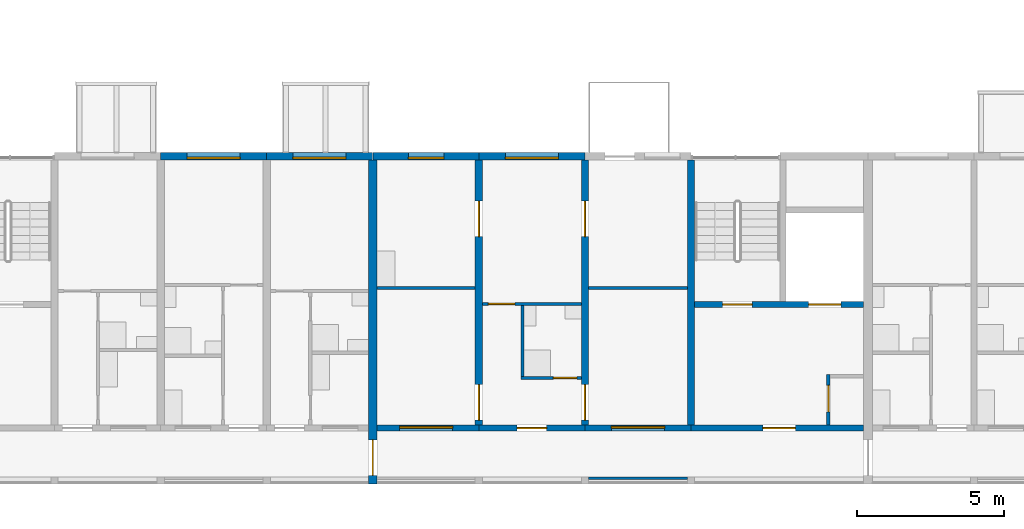
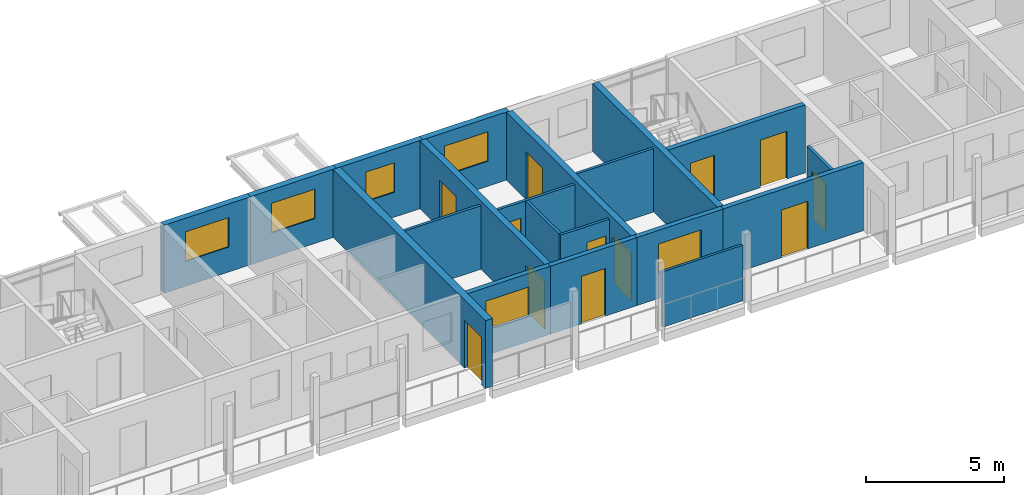
# One storey, part 48 of 98: 20 walls, 12 doors, 6 windows, 18 openings.
"""IFC4 building model written with IfcOpenShell, lengths in metres."""

from ifc_helpers import new_model, si_unit, direction, frame, frame_2d, origin, place, context, subcontext, project, spatial, rectangle, extrude, material, layer, layer_set, type_object, element, fill, save


model = new_model("IFC4")

# Units and contexts
model_context = context("Model", 3, precision=1e-05, world=origin(), true_north=direction((0.0, 1.0)))
body_context = subcontext(model_context, "Body", "Model", "MODEL_VIEW")
ifc_project = project(units=[si_unit("LENGTHUNIT", "METRE"), si_unit("AREAUNIT", "SQUARE_METRE"), si_unit("VOLUMEUNIT", "CUBIC_METRE"), si_unit("PLANEANGLEUNIT", "RADIAN"), si_unit("MASSUNIT", "GRAM", prefix="KILO")], contexts=[model_context])

# Site, building, storey
site_placement = place(None, origin())
site = spatial("IfcSite", under=ifc_project, at=site_placement, CompositionType="ELEMENT")
building_placement = place(site_placement, origin())
building = spatial("IfcBuilding", under=site, at=building_placement, Name="Ridgestep Commons", CompositionType="ELEMENT")
storey_placement = place(building_placement, frame((0.0, 0.0, 12.0)))
storey = spatial("IfcBuildingStorey", under=building, at=storey_placement, Name="L04", CompositionType="ELEMENT", Elevation=12.0)

# Wall
ifc_material_1 = material(Name="Concrete C30/37", Category="concrete")
ifc_layer_1 = layer(ifc_material_1, 0.25)
ifc_layer_set_1 = layer_set([ifc_layer_1], Name="Core cross wall 250")
wall_type_1 = type_object("IfcWallType", Name="Core cross wall 250", PredefinedType="SHEAR", material=ifc_layer_set_1)
wall_1_placement = place(storey_placement, frame((191.199951171875, 13.75, 0.0), z_axis=(0.0, 0.0, 1.0), x_axis=(0.0, 1.0, 0.0)))
element("IfcWall", 1, at=wall_1_placement, inside=storey, type_object=wall_type_1, Name="Cross wall D-04-1912", PredefinedType="SHEAR", context=body_context, shape_type="SweptSolid", body=[
    extrude(rectangle(XDim=9.0, YDim=0.25, at=frame_2d((4.5, 0.0))), origin(), (0.0, 0.0, 1.0), 3.0),
])

# Wall, opening, door
ifc_material_2 = material(Name="Concrete C30/37", Category="concrete")
ifc_layer_2 = layer(ifc_material_2, 0.199951171875)
ifc_layer_set_2 = layer_set([ifc_layer_2], Name="Core south wall 200")
wall_type_2 = type_object("IfcWallType", Name="Core south wall 200", PredefinedType="SHEAR", material=ifc_layer_set_2)
wall_2_placement = place(storey_placement, frame((191.199951171875, 13.64990234375, 0.0), z_axis=(0.0, 0.0, 1.0), x_axis=(1.0, 0.0, 0.0)))
wall_2 = element("IfcWall", 2, at=wall_2_placement, inside=storey, type_object=wall_type_2, Name="Core south wall D3C L04", PredefinedType="SHEAR", context=body_context, shape_type="SweptSolid", body=[
    extrude(rectangle(XDim=5.85009765625, YDim=0.199951171875, at=frame_2d((2.925048828125, 0.0))), origin(), (0.0, 0.0, 1.0), 3.0),
])
opening_1_placement = place(wall_2_placement, frame((2.4375, 0.0, 0.0)))
opening_1 = element("IfcOpeningElement", 3, at=opening_1_placement, cuts=wall_2, Name="Opening D3C/04/1", PredefinedType="OPENING", context=body_context, shape_type="SweptSolid", body=[
    extrude(rectangle(XDim=1.10009765625, YDim=2.10009765625, at=frame_2d((0.550048828125, 1.050048828125))), frame((0.0, 0.10986328125, 0.0), z_axis=(0.0, -1.0, 0.0), x_axis=(1.0, 0.0, 0.0)), (0.0, 0.0, 1.0), 0.219970703125),
])
ifc_material_3 = material(Name="Steel fire door", Category="steel")
door_type_1 = type_object("IfcDoorType", Name="Lobby door 1100 x 2100 FD60", OperationType="NOTDEFINED", PredefinedType="DOOR", material=ifc_material_3)
door_1_placement = place(opening_1_placement, origin())
door_1 = element("IfcDoor", 4, at=door_1_placement, inside=storey, type_object=door_type_1, Name="Lobby door D3C/04/1", OperationType="SINGLE_SWING_LEFT", OverallHeight=2.10009765625, OverallWidth=1.10009765625, PredefinedType="DOOR", context=body_context, shape_type="SweptSolid", body=[
    extrude(rectangle(XDim=1.10009765625, YDim=2.10009765625, at=frame_2d((0.550048828125, 1.050048828125))), frame((0.0, 0.02490234375, 0.0), z_axis=(0.0, -1.0, 0.0), x_axis=(1.0, 0.0, 0.0)), (0.0, 0.0, 1.0), 0.050048828125),
])
fill(opening_1, door_1)

ifc_material_4 = material(Name="Concrete C30/37", Category="concrete")
ifc_layer_3 = layer(ifc_material_4, 0.1201171875)
ifc_layer_set_3 = layer_set([ifc_layer_3], Name="Core wall 120")
wall_type_3 = type_object("IfcWallType", Name="Core wall 120", PredefinedType="SHEAR", material=ifc_layer_set_3)
wall_3_placement = place(storey_placement, frame((195.860107421875, 13.75, 0.0), z_axis=(0.0, 0.0, 1.0), x_axis=(0.0, 1.0, 0.0)))
wall_3 = element("IfcWall", 5, at=wall_3_placement, inside=storey, type_object=wall_type_3, Name="Core riser w wall D3C L04", PredefinedType="SHEAR", context=body_context, shape_type="SweptSolid", body=[
    extrude(rectangle(XDim=1.719970703125, YDim=0.1201171875, at=frame_2d((0.85986328125, 0.0))), origin(), (0.0, 0.0, 1.0), 3.0),
])
opening_2_placement = place(wall_3_placement, frame((0.449951171875, 0.0, 0.0)))
opening_2 = element("IfcOpeningElement", 6, at=opening_2_placement, cuts=wall_3, Name="Opening D3C/04/4", PredefinedType="OPENING", context=body_context, shape_type="SweptSolid", body=[
    extrude(rectangle(XDim=0.89990234375, YDim=2.10009765625, at=frame_2d((0.449951171875, 1.050048828125))), frame((0.0, 0.070068359375, 0.0), z_axis=(0.0, -1.0, 0.0), x_axis=(1.0, 0.0, 0.0)), (0.0, 0.0, 1.0), 0.14013671875),
])
ifc_material_5 = material(Name="Steel fire door", Category="steel")
door_type_2 = type_object("IfcDoorType", Name="Riser door 900 x 2100 FD60", OperationType="NOTDEFINED", PredefinedType="DOOR", material=ifc_material_5)
door_2_placement = place(opening_2_placement, origin())
door_2 = element("IfcDoor", 7, at=door_2_placement, inside=storey, type_object=door_type_2, Name="Riser door D3C/04/4", OperationType="SINGLE_SWING_LEFT", OverallHeight=2.10009765625, OverallWidth=0.89990234375, PredefinedType="DOOR", context=body_context, shape_type="SweptSolid", body=[
    extrude(rectangle(XDim=0.89990234375, YDim=2.10009765625, at=frame_2d((0.449951171875, 1.050048828125))), frame((0.0, 0.02490234375, 0.0), z_axis=(0.0, -1.0, 0.0), x_axis=(1.0, 0.0, 0.0)), (0.0, 0.0, 1.0), 0.050048828125),
])
fill(opening_2, door_2)

# Wall, openings, doors
ifc_material_6 = material(Name="Concrete C30/37", Category="concrete")
ifc_layer_4 = layer(ifc_material_6, 0.199951171875)
ifc_layer_set_4 = layer_set([ifc_layer_4], Name="Core wall 200")
wall_type_4 = type_object("IfcWallType", Name="Core wall 200", PredefinedType="SHEAR", material=ifc_layer_set_4)
wall_4_placement = place(storey_placement, frame((191.324951171875, 17.85009765625, 0.0), z_axis=(0.0, 0.0, 1.0), x_axis=(1.0, 0.0, 0.0)))
wall_4 = element("IfcWall", 8, at=wall_4_placement, inside=storey, type_object=wall_type_4, Name="Core lobby wall D3C L04", PredefinedType="SHEAR", context=body_context, shape_type="SweptSolid", body=[
    extrude(rectangle(XDim=5.72509765625, YDim=0.199951171875, at=frame_2d((2.862548828125, 0.0))), origin(), (0.0, 0.0, 1.0), 3.0),
])
opening_3_placement = place(wall_4_placement, frame((0.949951171875, 0.0, 0.0)))
opening_3 = element("IfcOpeningElement", 9, at=opening_3_placement, cuts=wall_4, Name="Opening D3C/04/2", PredefinedType="OPENING", context=body_context, shape_type="SweptSolid", body=[
    extrude(rectangle(XDim=1.0, YDim=2.10009765625, at=frame_2d((0.5, 1.050048828125))), frame((0.0, 0.10986328125, 0.0), z_axis=(0.0, -1.0, 0.0), x_axis=(1.0, 0.0, 0.0)), (0.0, 0.0, 1.0), 0.219970703125),
])
opening_4_placement = place(wall_4_placement, frame((3.862548828125, 0.0, 0.0)))
opening_4 = element("IfcOpeningElement", 10, at=opening_4_placement, cuts=wall_4, Name="Opening D3C/04/3", PredefinedType="OPENING", context=body_context, shape_type="SweptSolid", body=[
    extrude(rectangle(XDim=1.10009765625, YDim=2.10009765625, at=frame_2d((0.550048828125, 1.050048828125))), frame((0.0, 0.10986328125, 0.0), z_axis=(0.0, -1.0, 0.0), x_axis=(1.0, 0.0, 0.0)), (0.0, 0.0, 1.0), 0.219970703125),
])
ifc_material_7 = material(Name="Stainless steel", Category="steel")
door_type_3 = type_object("IfcDoorType", Name="Lift landing door 1100 x 2100 FD60", OperationType="DOUBLE_DOOR_SLIDING", PredefinedType="DOOR", material=ifc_material_7)
door_3_placement = place(opening_4_placement, origin())
door_3 = element("IfcDoor", 11, at=door_3_placement, inside=storey, type_object=door_type_3, Name="Landing door LD D3C L04", OperationType="DOUBLE_DOOR_SLIDING", OverallHeight=2.10009765625, OverallWidth=1.10009765625, PredefinedType="DOOR", context=body_context, shape_type="SweptSolid", body=[
    extrude(rectangle(XDim=1.10009765625, YDim=2.10009765625, at=frame_2d((0.550048828125, 1.050048828125))), frame((0.0, 0.02490234375, 0.0), z_axis=(0.0, -1.0, 0.0), x_axis=(1.0, 0.0, 0.0)), (0.0, 0.0, 1.0), 0.050048828125),
])
fill(opening_4, door_3)
ifc_material_8 = material(Name="Steel fire door", Category="steel")
door_type_4 = type_object("IfcDoorType", Name="Stair door 1000 x 2100 FD60", OperationType="NOTDEFINED", PredefinedType="DOOR", material=ifc_material_8)
door_4_placement = place(opening_3_placement, origin())
door_4 = element("IfcDoor", 12, at=door_4_placement, inside=storey, type_object=door_type_4, Name="Stair door D3C/04/2", OperationType="SINGLE_SWING_RIGHT", OverallHeight=2.10009765625, OverallWidth=1.0, PredefinedType="DOOR", context=body_context, shape_type="SweptSolid", body=[
    extrude(rectangle(XDim=1.0, YDim=2.10009765625, at=frame_2d((0.5, 1.050048828125))), frame((0.0, 0.02490234375, 0.0), z_axis=(0.0, -1.0, 0.0), x_axis=(1.0, 0.0, 0.0)), (0.0, 0.0, 1.0), 0.050048828125),
])
fill(opening_3, door_4)

ifc_material_9 = material(Name="Precast concrete C40/50", Category="concrete")
ifc_layer_5 = layer(ifc_material_9, 0.25)
ifc_layer_set_5 = layer_set([ifc_layer_5], Name="Cross wall 250")
wall_type_5 = type_object("IfcWallType", Name="Cross wall 250", PredefinedType="SHEAR", material=ifc_layer_set_5)
wall_5_placement = place(storey_placement, frame((184.0, 13.75, 0.0), z_axis=(0.0, 0.0, 1.0), x_axis=(0.0, 1.0, 0.0)))
wall_5 = element("IfcWall", 13, at=wall_5_placement, inside=storey, type_object=wall_type_5, Name="Cross wall D-04-1840", PredefinedType="SHEAR", context=body_context, shape_type="SweptSolid", body=[
    extrude(rectangle(XDim=9.0, YDim=0.25, at=frame_2d((4.5, 0.0))), origin(), (0.0, 0.0, 1.0), 3.0),
])
opening_5_placement = place(wall_5_placement, frame((0.175048828125, 0.0, 0.0)))
opening_5 = element("IfcOpeningElement", 14, at=opening_5_placement, cuts=wall_5, Name="Opening D3-04a/4", PredefinedType="OPENING", context=body_context, shape_type="SweptSolid", body=[
    extrude(rectangle(XDim=1.199951171875, YDim=2.10009765625, at=frame_2d((0.60009765625, 1.050048828125))), frame((0.0, 0.135009765625, 0.0), z_axis=(0.0, -1.0, 0.0), x_axis=(1.0, 0.0, 0.0)), (0.0, 0.0, 1.0), 0.27001953125),
])
opening_6_placement = place(wall_5_placement, frame((6.39990234375, 0.0, 0.0)))
opening_6 = element("IfcOpeningElement", 15, at=opening_6_placement, cuts=wall_5, Name="Opening D3-04a/5", PredefinedType="OPENING", context=body_context, shape_type="SweptSolid", body=[
    extrude(rectangle(XDim=1.199951171875, YDim=2.10009765625, at=frame_2d((0.60009765625, 1.050048828125))), frame((0.0, 0.135009765625, 0.0), z_axis=(0.0, -1.0, 0.0), x_axis=(1.0, 0.0, 0.0)), (0.0, 0.0, 1.0), 0.27001953125),
])
ifc_material_10 = material(Name="Timber door leaf", Category="wood")
door_type_5 = type_object("IfcDoorType", Name="Double door 1200 x 2100", OperationType="DOUBLE_DOOR_SINGLE_SWING", PredefinedType="DOOR", material=ifc_material_10)
door_5_placement = place(opening_5_placement, origin())
door_5 = element("IfcDoor", 16, at=door_5_placement, inside=storey, type_object=door_type_5, Name="Double door D3-04a/4", OperationType="DOUBLE_DOOR_SINGLE_SWING", OverallHeight=2.10009765625, OverallWidth=1.199951171875, PredefinedType="DOOR", context=body_context, shape_type="SweptSolid", body=[
    extrude(rectangle(XDim=1.199951171875, YDim=2.10009765625, at=frame_2d((0.60009765625, 1.050048828125))), frame((0.0, 0.02490234375, 0.0), z_axis=(0.0, -1.0, 0.0), x_axis=(1.0, 0.0, 0.0)), (0.0, 0.0, 1.0), 0.050048828125),
])
fill(opening_5, door_5)
door_6_placement = place(opening_6_placement, origin())
door_6 = element("IfcDoor", 17, at=door_6_placement, inside=storey, type_object=door_type_5, Name="Double door D3-04a/5", OperationType="DOUBLE_DOOR_SINGLE_SWING", OverallHeight=2.10009765625, OverallWidth=1.199951171875, PredefinedType="DOOR", context=body_context, shape_type="SweptSolid", body=[
    extrude(rectangle(XDim=1.199951171875, YDim=2.10009765625, at=frame_2d((0.60009765625, 1.050048828125))), frame((0.0, 0.02490234375, 0.0), z_axis=(0.0, -1.0, 0.0), x_axis=(1.0, 0.0, 0.0)), (0.0, 0.0, 1.0), 0.050048828125),
])
fill(opening_6, door_6)

wall_6_placement = place(storey_placement, frame((187.60009765625, 13.75, 0.0), z_axis=(0.0, 0.0, 1.0), x_axis=(0.0, 1.0, 0.0)))
wall_6 = element("IfcWall", 18, at=wall_6_placement, inside=storey, type_object=wall_type_5, Name="Cross wall D-04-1876", PredefinedType="SHEAR", context=body_context, shape_type="SweptSolid", body=[
    extrude(rectangle(XDim=9.0, YDim=0.25, at=frame_2d((4.5, 0.0))), origin(), (0.0, 0.0, 1.0), 3.0),
])
opening_7_placement = place(wall_6_placement, frame((0.175048828125, 0.0, 0.0)))
opening_7 = element("IfcOpeningElement", 19, at=opening_7_placement, cuts=wall_6, Name="Opening D3-04a/6", PredefinedType="OPENING", context=body_context, shape_type="SweptSolid", body=[
    extrude(rectangle(XDim=1.199951171875, YDim=2.10009765625, at=frame_2d((0.60009765625, 1.050048828125))), frame((0.0, 0.135009765625, 0.0), z_axis=(0.0, -1.0, 0.0), x_axis=(1.0, 0.0, 0.0)), (0.0, 0.0, 1.0), 0.27001953125),
])
opening_8_placement = place(wall_6_placement, frame((6.39990234375, 0.0, 0.0)))
opening_8 = element("IfcOpeningElement", 20, at=opening_8_placement, cuts=wall_6, Name="Opening D3-04a/7", PredefinedType="OPENING", context=body_context, shape_type="SweptSolid", body=[
    extrude(rectangle(XDim=1.199951171875, YDim=2.10009765625, at=frame_2d((0.60009765625, 1.050048828125))), frame((0.0, 0.135009765625, 0.0), z_axis=(0.0, -1.0, 0.0), x_axis=(1.0, 0.0, 0.0)), (0.0, 0.0, 1.0), 0.27001953125),
])
door_7_placement = place(opening_7_placement, origin())
door_7 = element("IfcDoor", 21, at=door_7_placement, inside=storey, type_object=door_type_5, Name="Double door D3-04a/6", OperationType="DOUBLE_DOOR_SINGLE_SWING", OverallHeight=2.10009765625, OverallWidth=1.199951171875, PredefinedType="DOOR", context=body_context, shape_type="SweptSolid", body=[
    extrude(rectangle(XDim=1.199951171875, YDim=2.10009765625, at=frame_2d((0.60009765625, 1.050048828125))), frame((0.0, 0.02490234375, 0.0), z_axis=(0.0, -1.0, 0.0), x_axis=(1.0, 0.0, 0.0)), (0.0, 0.0, 1.0), 0.050048828125),
])
fill(opening_7, door_7)
door_8_placement = place(opening_8_placement, origin())
door_8 = element("IfcDoor", 22, at=door_8_placement, inside=storey, type_object=door_type_5, Name="Double door D3-04a/7", OperationType="DOUBLE_DOOR_SINGLE_SWING", OverallHeight=2.10009765625, OverallWidth=1.199951171875, PredefinedType="DOOR", context=body_context, shape_type="SweptSolid", body=[
    extrude(rectangle(XDim=1.199951171875, YDim=2.10009765625, at=frame_2d((0.60009765625, 1.050048828125))), frame((0.0, 0.02490234375, 0.0), z_axis=(0.0, -1.0, 0.0), x_axis=(1.0, 0.0, 0.0)), (0.0, 0.0, 1.0), 0.050048828125),
])
fill(opening_8, door_8)

# Wall, opening, door
ifc_material_11 = material(Name="Precast concrete C40/50", Category="concrete")
ifc_layer_6 = layer(ifc_material_11, 0.300048828125)
ifc_layer_set_6 = layer_set([ifc_layer_6], Name="Division wall 300")
wall_type_6 = type_object("IfcWallType", Name="Division wall 300", PredefinedType="SHEAR", material=ifc_layer_set_6)
wall_7_placement = place(storey_placement, frame((180.39990234375, 11.75, 0.0), z_axis=(0.0, 0.0, 1.0), x_axis=(0.0, 1.0, 0.0)))
wall_7 = element("IfcWall", 23, at=wall_7_placement, inside=storey, type_object=wall_type_6, Name="Cross wall D-04-1804", PredefinedType="SHEAR", context=body_context, shape_type="SweptSolid", body=[
    extrude(rectangle(XDim=11.0, YDim=0.300048828125, at=frame_2d((5.5, 0.0))), origin(), (0.0, 0.0, 1.0), 3.0),
])
opening_9_placement = place(wall_7_placement, frame((0.300048828125, 0.0, 0.0)))
opening_9 = element("IfcOpeningElement", 24, at=opening_9_placement, cuts=wall_7, Name="Opening D/04/G1804", PredefinedType="OPENING", context=body_context, shape_type="SweptSolid", body=[
    extrude(rectangle(XDim=1.199951171875, YDim=2.10009765625, at=frame_2d((0.60009765625, 1.050048828125))), frame((0.0, 0.159912109375, 0.0), z_axis=(0.0, -1.0, 0.0), x_axis=(1.0, 0.0, 0.0)), (0.0, 0.0, 1.0), 0.320068359375),
])
ifc_material_12 = material(Name="Steel fire door", Category="steel")
door_type_6 = type_object("IfcDoorType", Name="Division fire door 1200 x 2100 EI 240", OperationType="DOUBLE_DOOR_SINGLE_SWING", PredefinedType="DOOR", material=ifc_material_12)
door_9_placement = place(opening_9_placement, origin())
door_9 = element("IfcDoor", 25, at=door_9_placement, inside=storey, type_object=door_type_6, Name="Division fire door D/04/G1804", OperationType="DOUBLE_DOOR_SINGLE_SWING", OverallHeight=2.10009765625, OverallWidth=1.199951171875, PredefinedType="DOOR", context=body_context, shape_type="SweptSolid", body=[
    extrude(rectangle(XDim=1.199951171875, YDim=2.10009765625, at=frame_2d((0.60009765625, 1.050048828125))), frame((0.0, 0.02490234375, 0.0), z_axis=(0.0, -1.0, 0.0), x_axis=(1.0, 0.0, 0.0)), (0.0, 0.0, 1.0), 0.050048828125),
])
fill(opening_9, door_9)

# Wall, opening, window
ifc_material_13 = material(Name="Precast concrete C40/50", Category="concrete")
ifc_layer_7 = layer(ifc_material_13, 0.25)
ifc_layer_set_7 = layer_set([ifc_layer_7], Name="North facade panel 250")
wall_type_7 = type_object("IfcWallType", Name="North facade panel 250", PredefinedType="SOLIDWALL", material=ifc_layer_set_7)
wall_8_placement = place(storey_placement, frame((173.199951171875, 22.875, 0.0), z_axis=(0.0, 0.0, 1.0), x_axis=(1.0, 0.0, 0.0)))
wall_8 = element("IfcWall", 26, at=wall_8_placement, inside=storey, type_object=wall_type_7, Name="North panel D2T2 L04", PredefinedType="SOLIDWALL", context=body_context, shape_type="SweptSolid", body=[
    extrude(rectangle(XDim=3.60009765625, YDim=0.25, at=frame_2d((1.800048828125, 0.0))), origin(), (0.0, 0.0, 1.0), 3.0),
])
opening_10_placement = place(wall_8_placement, frame((0.89990234375, 0.0, 1.10009765625)))
opening_10 = element("IfcOpeningElement", 27, at=opening_10_placement, cuts=wall_8, Name="Opening W18", PredefinedType="OPENING", context=body_context, shape_type="SweptSolid", body=[
    extrude(rectangle(XDim=1.800048828125, YDim=1.300048828125, at=frame_2d((0.89990234375, 0.64990234375))), frame((0.0, 0.135009765625, 0.0), z_axis=(0.0, -1.0, 0.0), x_axis=(1.0, 0.0, 0.0)), (0.0, 0.0, 1.0), 0.27001953125),
])
ifc_material_14 = material(Name="Aluminium 6063-T6 and glass", Category="aluminium")
window_type_1 = type_object("IfcWindowType", Name="Flat window 1800 x 1300", PartitioningType="DOUBLE_PANEL_VERTICAL", PredefinedType="WINDOW", material=ifc_material_14)
window_1_placement = place(opening_10_placement, origin())
window_1 = element("IfcWindow", 28, at=window_1_placement, inside=storey, type_object=window_type_1, Name="Window D2-04b 2", OverallHeight=1.300048828125, OverallWidth=1.800048828125, PartitioningType="SINGLE_PANEL", PredefinedType="WINDOW", context=body_context, shape_type="SweptSolid", body=[
    extrude(rectangle(XDim=1.800048828125, YDim=1.300048828125, at=frame_2d((0.89990234375, 0.64990234375))), frame((0.0, -0.02490234375, 0.0), z_axis=(0.0, -1.0, 0.0), x_axis=(1.0, 0.0, 0.0)), (0.0, 0.0, 1.0), 0.06005859375),
])
fill(opening_10, window_1)

wall_9_placement = place(storey_placement, frame((176.800048828125, 22.875, 0.0), z_axis=(0.0, 0.0, 1.0), x_axis=(1.0, 0.0, 0.0)))
wall_9 = element("IfcWall", 29, at=wall_9_placement, inside=storey, type_object=wall_type_7, Name="North panel D2T1 L04", PredefinedType="SOLIDWALL", context=body_context, shape_type="SweptSolid", body=[
    extrude(rectangle(XDim=3.599853515625, YDim=0.25, at=frame_2d((1.7998046875, 0.0))), origin(), (0.0, 0.0, 1.0), 3.0),
])
opening_11_placement = place(wall_9_placement, frame((0.887451171875, 0.0, 1.10009765625)))
opening_11 = element("IfcOpeningElement", 30, at=opening_11_placement, cuts=wall_9, Name="Opening W18", PredefinedType="OPENING", context=body_context, shape_type="SweptSolid", body=[
    extrude(rectangle(XDim=1.800048828125, YDim=1.300048828125, at=frame_2d((0.89990234375, 0.64990234375))), frame((0.0, 0.135009765625, 0.0), z_axis=(0.0, -1.0, 0.0), x_axis=(1.0, 0.0, 0.0)), (0.0, 0.0, 1.0), 0.27001953125),
])
window_2_placement = place(opening_11_placement, origin())
window_2 = element("IfcWindow", 31, at=window_2_placement, inside=storey, type_object=window_type_1, Name="Window D2-04a 2", OverallHeight=1.300048828125, OverallWidth=1.800048828125, PartitioningType="SINGLE_PANEL", PredefinedType="WINDOW", context=body_context, shape_type="SweptSolid", body=[
    extrude(rectangle(XDim=1.800048828125, YDim=1.300048828125, at=frame_2d((0.89990234375, 0.64990234375))), frame((0.0, -0.02490234375, 0.0), z_axis=(0.0, -1.0, 0.0), x_axis=(1.0, 0.0, 0.0)), (0.0, 0.0, 1.0), 0.06005859375),
])
fill(opening_11, window_2)

wall_10_placement = place(storey_placement, frame((180.39990234375, 22.875, 0.0), z_axis=(0.0, 0.0, 1.0), x_axis=(1.0, 0.0, 0.0)))
wall_10 = element("IfcWall", 32, at=wall_10_placement, inside=storey, type_object=wall_type_7, Name="North panel D3T1 L04", PredefinedType="SOLIDWALL", context=body_context, shape_type="SweptSolid", body=[
    extrude(rectangle(XDim=3.60009765625, YDim=0.25, at=frame_2d((1.800048828125, 0.0))), origin(), (0.0, 0.0, 1.0), 3.0),
])
opening_12_placement = place(wall_10_placement, frame((1.21240234375, 0.0, 1.10009765625)))
opening_12 = element("IfcOpeningElement", 33, at=opening_12_placement, cuts=wall_10, Name="Opening W08", PredefinedType="OPENING", context=body_context, shape_type="SweptSolid", body=[
    extrude(rectangle(XDim=1.199951171875, YDim=1.300048828125, at=frame_2d((0.60009765625, 0.64990234375))), frame((0.0, 0.135009765625, 0.0), z_axis=(0.0, -1.0, 0.0), x_axis=(1.0, 0.0, 0.0)), (0.0, 0.0, 1.0), 0.27001953125),
])
ifc_material_15 = material(Name="Aluminium 6063-T6 and glass", Category="aluminium")
window_type_2 = type_object("IfcWindowType", Name="Flat window 1200 x 1300", PartitioningType="SINGLE_PANEL", PredefinedType="WINDOW", material=ifc_material_15)
window_3_placement = place(opening_12_placement, origin())
window_3 = element("IfcWindow", 34, at=window_3_placement, inside=storey, type_object=window_type_2, Name="Window D3-04a 2", OverallHeight=1.300048828125, OverallWidth=1.199951171875, PartitioningType="SINGLE_PANEL", PredefinedType="WINDOW", context=body_context, shape_type="SweptSolid", body=[
    extrude(rectangle(XDim=1.199951171875, YDim=1.300048828125, at=frame_2d((0.60009765625, 0.64990234375))), frame((0.0, -0.02490234375, 0.0), z_axis=(0.0, -1.0, 0.0), x_axis=(1.0, 0.0, 0.0)), (0.0, 0.0, 1.0), 0.06005859375),
])
fill(opening_12, window_3)

wall_11_placement = place(storey_placement, frame((184.0, 22.875, 0.0), z_axis=(0.0, 0.0, 1.0), x_axis=(1.0, 0.0, 0.0)))
wall_11 = element("IfcWall", 35, at=wall_11_placement, inside=storey, type_object=wall_type_7, Name="North panel D3T2 L04", PredefinedType="SOLIDWALL", context=body_context, shape_type="SweptSolid", body=[
    extrude(rectangle(XDim=3.60009765625, YDim=0.25, at=frame_2d((1.800048828125, 0.0))), origin(), (0.0, 0.0, 1.0), 3.0),
])
opening_13_placement = place(wall_11_placement, frame((0.89990234375, 0.0, 1.10009765625)))
opening_13 = element("IfcOpeningElement", 36, at=opening_13_placement, cuts=wall_11, Name="Opening W18", PredefinedType="OPENING", context=body_context, shape_type="SweptSolid", body=[
    extrude(rectangle(XDim=1.800048828125, YDim=1.300048828125, at=frame_2d((0.89990234375, 0.64990234375))), frame((0.0, 0.135009765625, 0.0), z_axis=(0.0, -1.0, 0.0), x_axis=(1.0, 0.0, 0.0)), (0.0, 0.0, 1.0), 0.27001953125),
])
window_4_placement = place(opening_13_placement, origin())
window_4 = element("IfcWindow", 37, at=window_4_placement, inside=storey, type_object=window_type_1, Name="Window D3-04a 5", OverallHeight=1.300048828125, OverallWidth=1.800048828125, PartitioningType="SINGLE_PANEL", PredefinedType="WINDOW", context=body_context, shape_type="SweptSolid", body=[
    extrude(rectangle(XDim=1.800048828125, YDim=1.300048828125, at=frame_2d((0.89990234375, 0.64990234375))), frame((0.0, -0.02490234375, 0.0), z_axis=(0.0, -1.0, 0.0), x_axis=(1.0, 0.0, 0.0)), (0.0, 0.0, 1.0), 0.06005859375),
])
fill(opening_13, window_4)

# Wall, opening, door
ifc_material_16 = material(Name="Common brick 110 mm", Category="masonry")
ifc_layer_8 = layer(ifc_material_16, 0.110107421875)
ifc_layer_set_8 = layer_set([ifc_layer_8], Name="Partition 110")
wall_type_8 = type_object("IfcWallType", Name="Partition 110", PredefinedType="PARTITIONING", material=ifc_layer_set_8)
wall_12_placement = place(storey_placement, frame((185.425048828125, 15.35498046875, 0.0), z_axis=(0.0, 0.0, 1.0), x_axis=(1.0, 0.0, 0.0)))
wall_12 = element("IfcWall", 38, at=wall_12_placement, inside=storey, type_object=wall_type_8, Name="Partition D3-04a", PredefinedType="PARTITIONING", context=body_context, shape_type="SweptSolid", body=[
    extrude(rectangle(XDim=2.050048828125, YDim=0.110107421875, at=frame_2d((1.02490234375, 0.0))), origin(), (0.0, 0.0, 1.0), 2.800048828125),
])
opening_14_placement = place(wall_12_placement, frame((1.10009765625, 0.0, 0.0)))
opening_14 = element("IfcOpeningElement", 39, at=opening_14_placement, cuts=wall_12, Name="Opening D3-04a/2", PredefinedType="OPENING", context=body_context, shape_type="SweptSolid", body=[
    extrude(rectangle(XDim=0.800048828125, YDim=2.10009765625, at=frame_2d((0.39990234375, 1.050048828125))), frame((0.0, 0.06494140625, 0.0), z_axis=(0.0, -1.0, 0.0), x_axis=(1.0, 0.0, 0.0)), (0.0, 0.0, 1.0), 0.130126953125),
])
ifc_material_17 = material(Name="Timber door leaf", Category="wood")
door_type_7 = type_object("IfcDoorType", Name="Internal door 800 x 2100", OperationType="NOTDEFINED", PredefinedType="DOOR", material=ifc_material_17)
door_10_placement = place(opening_14_placement, origin())
door_10 = element("IfcDoor", 40, at=door_10_placement, inside=storey, type_object=door_type_7, Name="Internal door D3-04a/2", OperationType="SINGLE_SWING_RIGHT", OverallHeight=2.10009765625, OverallWidth=0.800048828125, PredefinedType="DOOR", context=body_context, shape_type="SweptSolid", body=[
    extrude(rectangle(XDim=0.800048828125, YDim=2.10009765625, at=frame_2d((0.39990234375, 1.050048828125))), frame((0.0, 0.02490234375, 0.0), z_axis=(0.0, -1.0, 0.0), x_axis=(1.0, 0.0, 0.0)), (0.0, 0.0, 1.0), 0.050048828125),
])
fill(opening_14, door_10)

# Wall
wall_13_placement = place(storey_placement, frame((185.47998046875, 15.409912109375, 0.0), z_axis=(0.0, 0.0, 1.0), x_axis=(0.0, 1.0, 0.0)))
element("IfcWall", 41, at=wall_13_placement, inside=storey, type_object=wall_type_8, Name="Partition D3-04a", PredefinedType="PARTITIONING", context=body_context, shape_type="SweptSolid", body=[
    extrude(rectangle(XDim=2.400146484375, YDim=0.110107421875, at=frame_2d((1.2001953125, 0.0))), origin(), (0.0, 0.0, 1.0), 2.800048828125),
])

# Wall, opening, door
wall_14_placement = place(storey_placement, frame((184.125, 17.864990234375, 0.0), z_axis=(0.0, 0.0, 1.0), x_axis=(1.0, 0.0, 0.0)))
wall_14 = element("IfcWall", 42, at=wall_14_placement, inside=storey, type_object=wall_type_8, Name="Partition D3-04a", PredefinedType="PARTITIONING", context=body_context, shape_type="SweptSolid", body=[
    extrude(rectangle(XDim=3.35009765625, YDim=0.110107421875, at=frame_2d((1.675048828125, 0.0))), origin(), (0.0, 0.0, 1.0), 2.800048828125),
])
opening_15_placement = place(wall_14_placement, frame((0.199951171875, 0.0, 0.0)))
opening_15 = element("IfcOpeningElement", 43, at=opening_15_placement, cuts=wall_14, Name="Opening D3-04a/3", PredefinedType="OPENING", context=body_context, shape_type="SweptSolid", body=[
    extrude(rectangle(XDim=0.89990234375, YDim=2.10009765625, at=frame_2d((0.449951171875, 1.050048828125))), frame((0.0, 0.06494140625, 0.0), z_axis=(0.0, -1.0, 0.0), x_axis=(1.0, 0.0, 0.0)), (0.0, 0.0, 1.0), 0.130126953125),
])
ifc_material_18 = material(Name="Timber door leaf", Category="wood")
door_type_8 = type_object("IfcDoorType", Name="Internal door 900 x 2100", OperationType="NOTDEFINED", PredefinedType="DOOR", material=ifc_material_18)
door_11_placement = place(opening_15_placement, origin())
door_11 = element("IfcDoor", 44, at=door_11_placement, inside=storey, type_object=door_type_8, Name="Internal door D3-04a/3", OperationType="SINGLE_SWING_LEFT", OverallHeight=2.10009765625, OverallWidth=0.89990234375, PredefinedType="DOOR", context=body_context, shape_type="SweptSolid", body=[
    extrude(rectangle(XDim=0.89990234375, YDim=2.10009765625, at=frame_2d((0.449951171875, 1.050048828125))), frame((0.0, 0.02490234375, 0.0), z_axis=(0.0, -1.0, 0.0), x_axis=(1.0, 0.0, 0.0)), (0.0, 0.0, 1.0), 0.050048828125),
])
fill(opening_15, door_11)

# Walls
wall_15_placement = place(storey_placement, frame((180.550048828125, 18.405029296875, 0.0), z_axis=(0.0, 0.0, 1.0), x_axis=(1.0, 0.0, 0.0)))
element("IfcWall", 45, at=wall_15_placement, inside=storey, type_object=wall_type_8, Name="Partition D3-04a", PredefinedType="PARTITIONING", context=body_context, shape_type="SweptSolid", body=[
    extrude(rectangle(XDim=3.324951171875, YDim=0.110107421875, at=frame_2d((1.66259765625, 0.0))), origin(), (0.0, 0.0, 1.0), 2.800048828125),
])
wall_16_placement = place(storey_placement, frame((187.72509765625, 18.405029296875, 0.0), z_axis=(0.0, 0.0, 1.0), x_axis=(1.0, 0.0, 0.0)))
element("IfcWall", 46, at=wall_16_placement, inside=storey, type_object=wall_type_8, Name="Partition D3-04a", PredefinedType="PARTITIONING", context=body_context, shape_type="SweptSolid", body=[
    extrude(rectangle(XDim=3.349853515625, YDim=0.110107421875, at=frame_2d((1.6748046875, 0.0))), origin(), (0.0, 0.0, 1.0), 2.800048828125),
])
ifc_material_19 = material(Name="Precast concrete C30/37", Category="concrete")
ifc_layer_9 = layer(ifc_material_19, 0.10009765625)
ifc_layer_set_9 = layer_set([ifc_layer_9], Name="Perforated gallery screen 3350 x 2450 x 100")
wall_type_9 = type_object("IfcWallType", Name="Perforated gallery screen 3350 x 2450 x 100", PredefinedType="SOLIDWALL", material=ifc_layer_set_9)
wall_17_placement = place(storey_placement, frame((187.72509765625, 11.949951171875, 0.0), z_axis=(0.0, 0.0, 1.0), x_axis=(1.0, 0.0, 0.0)))
element("IfcWall", 47, at=wall_17_placement, inside=storey, type_object=wall_type_9, Name="Gallery screen D3T3 04", PredefinedType="SOLIDWALL", context=body_context, shape_type="SweptSolid", body=[
    extrude(rectangle(XDim=3.349853515625, YDim=0.10009765625, at=frame_2d((1.6748046875, 0.0))), origin(), (0.0, 0.0, 1.0), 2.449951171875),
])

# Wall, opening, window
ifc_material_20 = material(Name="Precast concrete C40/50", Category="concrete")
ifc_layer_10 = layer(ifc_material_20, 0.199951171875)
ifc_layer_set_10 = layer_set([ifc_layer_10], Name="South facade panel 200")
wall_type_10 = type_object("IfcWallType", Name="South facade panel 200", PredefinedType="SOLIDWALL", material=ifc_layer_set_10)
wall_18_placement = place(storey_placement, frame((180.550048828125, 13.64990234375, 0.0), z_axis=(0.0, 0.0, 1.0), x_axis=(1.0, 0.0, 0.0)))
wall_18 = element("IfcWall", 48, at=wall_18_placement, inside=storey, type_object=wall_type_10, Name="South panel D3T1 L04", PredefinedType="SOLIDWALL", context=body_context, shape_type="SweptSolid", body=[
    extrude(rectangle(XDim=3.449951171875, YDim=0.199951171875, at=frame_2d((1.72509765625, 0.0))), origin(), (0.0, 0.0, 1.0), 3.0),
])
opening_16_placement = place(wall_18_placement, frame((0.762451171875, 0.0, 1.10009765625)))
opening_16 = element("IfcOpeningElement", 49, at=opening_16_placement, cuts=wall_18, Name="Opening W18", PredefinedType="OPENING", context=body_context, shape_type="SweptSolid", body=[
    extrude(rectangle(XDim=1.800048828125, YDim=1.300048828125, at=frame_2d((0.89990234375, 0.64990234375))), frame((0.0, 0.10986328125, 0.0), z_axis=(0.0, -1.0, 0.0), x_axis=(1.0, 0.0, 0.0)), (0.0, 0.0, 1.0), 0.219970703125),
])
window_5_placement = place(opening_16_placement, origin())
window_5 = element("IfcWindow", 50, at=window_5_placement, inside=storey, type_object=window_type_1, Name="Window D3-04a 1", OverallHeight=1.300048828125, OverallWidth=1.800048828125, PartitioningType="SINGLE_PANEL", PredefinedType="WINDOW", context=body_context, shape_type="SweptSolid", body=[
    extrude(rectangle(XDim=1.800048828125, YDim=1.300048828125, at=frame_2d((0.89990234375, 0.64990234375))), frame((0.0, 0.06005859375, 0.0), z_axis=(0.0, -1.0, 0.0), x_axis=(1.0, 0.0, 0.0)), (0.0, 0.0, 1.0), 0.06005859375),
])
fill(opening_16, window_5)

# Wall, opening, door
wall_19_placement = place(storey_placement, frame((184.0, 13.64990234375, 0.0), z_axis=(0.0, 0.0, 1.0), x_axis=(1.0, 0.0, 0.0)))
wall_19 = element("IfcWall", 51, at=wall_19_placement, inside=storey, type_object=wall_type_10, Name="South panel D3T2 L04", PredefinedType="SOLIDWALL", context=body_context, shape_type="SweptSolid", body=[
    extrude(rectangle(XDim=3.60009765625, YDim=0.199951171875, at=frame_2d((1.800048828125, 0.0))), origin(), (0.0, 0.0, 1.0), 3.0),
])
opening_17_placement = place(wall_19_placement, frame((1.300048828125, 0.0, 0.0)))
opening_17 = element("IfcOpeningElement", 52, at=opening_17_placement, cuts=wall_19, Name="Opening D3-04a/1", PredefinedType="OPENING", context=body_context, shape_type="SweptSolid", body=[
    extrude(rectangle(XDim=1.0, YDim=2.10009765625, at=frame_2d((0.5, 1.050048828125))), frame((0.0, 0.10986328125, 0.0), z_axis=(0.0, -1.0, 0.0), x_axis=(1.0, 0.0, 0.0)), (0.0, 0.0, 1.0), 0.219970703125),
])
ifc_material_21 = material(Name="Timber door leaf", Category="wood")
door_type_9 = type_object("IfcDoorType", Name="Flat entrance door 1000 x 2100 FD30S", OperationType="NOTDEFINED", PredefinedType="DOOR", material=ifc_material_21)
door_12_placement = place(opening_17_placement, origin())
door_12 = element("IfcDoor", 53, at=door_12_placement, inside=storey, type_object=door_type_9, Name="Flat entrance door D3-04a/1", OperationType="SINGLE_SWING_LEFT", OverallHeight=2.10009765625, OverallWidth=1.0, PredefinedType="DOOR", context=body_context, shape_type="SweptSolid", body=[
    extrude(rectangle(XDim=1.0, YDim=2.10009765625, at=frame_2d((0.5, 1.050048828125))), frame((0.0, 0.02490234375, 0.0), z_axis=(0.0, -1.0, 0.0), x_axis=(1.0, 0.0, 0.0)), (0.0, 0.0, 1.0), 0.050048828125),
])
fill(opening_17, door_12)

# Wall, opening, window
wall_20_placement = place(storey_placement, frame((187.60009765625, 13.64990234375, 0.0), z_axis=(0.0, 0.0, 1.0), x_axis=(1.0, 0.0, 0.0)))
wall_20 = element("IfcWall", 54, at=wall_20_placement, inside=storey, type_object=wall_type_10, Name="South panel D3T3 L04", PredefinedType="SOLIDWALL", context=body_context, shape_type="SweptSolid", body=[
    extrude(rectangle(XDim=3.599853515625, YDim=0.199951171875, at=frame_2d((1.7998046875, 0.0))), origin(), (0.0, 0.0, 1.0), 3.0),
])
opening_18_placement = place(wall_20_placement, frame((0.89990234375, 0.0, 1.10009765625)))
opening_18 = element("IfcOpeningElement", 55, at=opening_18_placement, cuts=wall_20, Name="Opening W18", PredefinedType="OPENING", context=body_context, shape_type="SweptSolid", body=[
    extrude(rectangle(XDim=1.800048828125, YDim=1.300048828125, at=frame_2d((0.89990234375, 0.64990234375))), frame((0.0, 0.10986328125, 0.0), z_axis=(0.0, -1.0, 0.0), x_axis=(1.0, 0.0, 0.0)), (0.0, 0.0, 1.0), 0.219970703125),
])
window_6_placement = place(opening_18_placement, origin())
window_6 = element("IfcWindow", 56, at=window_6_placement, inside=storey, type_object=window_type_1, Name="Window D3-04a 3", OverallHeight=1.300048828125, OverallWidth=1.800048828125, PartitioningType="SINGLE_PANEL", PredefinedType="WINDOW", context=body_context, shape_type="SweptSolid", body=[
    extrude(rectangle(XDim=1.800048828125, YDim=1.300048828125, at=frame_2d((0.89990234375, 0.64990234375))), frame((0.0, 0.06005859375, 0.0), z_axis=(0.0, -1.0, 0.0), x_axis=(1.0, 0.0, 0.0)), (0.0, 0.0, 1.0), 0.06005859375),
])
fill(opening_18, window_6)

save(model, "model.ifc")
